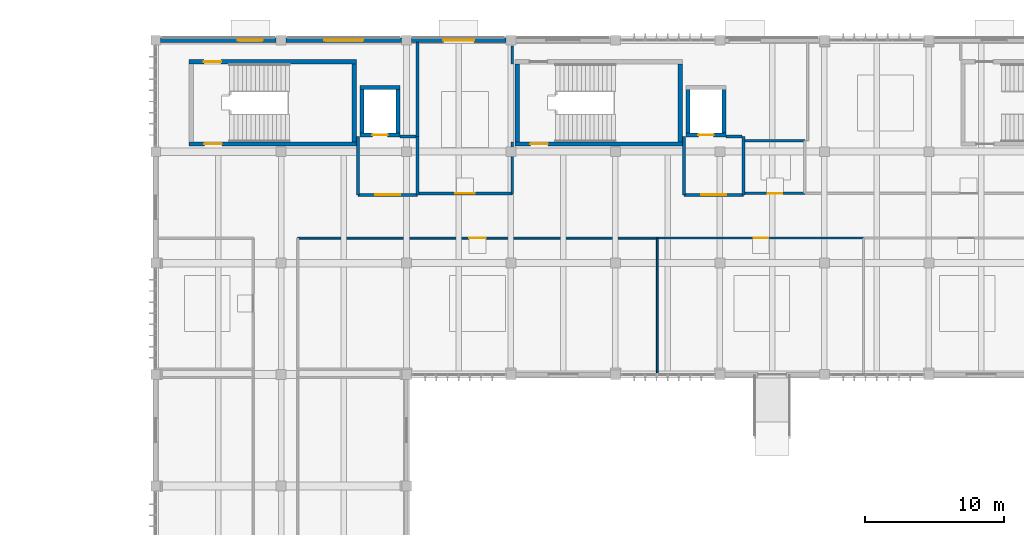
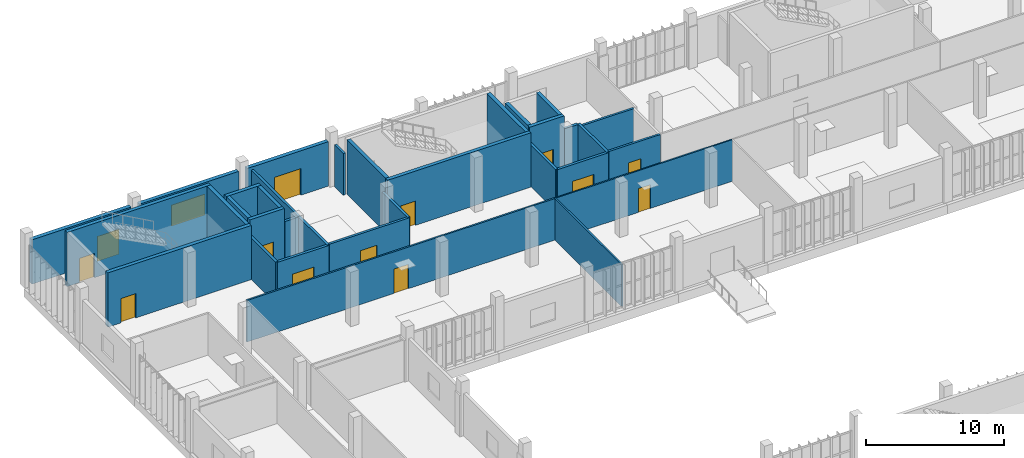
# One storey, part 47 of 72: 33 walls, 13 doors, 1 window, 14 openings.
"""IFC4 building model written with IfcOpenShell, lengths in metres."""

from ifc_helpers import new_model, si_unit, direction, frame, frame_2d, origin, place, context, subcontext, project, spatial, rectangle, extrude, material, layer, layer_set, type_object, element, fill, save


model = new_model("IFC4")

# Units and contexts
model_context = context("Model", 3, precision=1e-05, world=origin(), true_north=direction((0.0, 1.0)))
body_context = subcontext(model_context, "Body", "Model", "MODEL_VIEW")
ifc_project = project(units=[si_unit("LENGTHUNIT", "METRE"), si_unit("AREAUNIT", "SQUARE_METRE"), si_unit("VOLUMEUNIT", "CUBIC_METRE"), si_unit("PLANEANGLEUNIT", "RADIAN"), si_unit("MASSUNIT", "GRAM", prefix="KILO")], contexts=[model_context])

# Site, building, storey
site_placement = place(None, origin())
site = spatial("IfcSite", under=ifc_project, at=site_placement, CompositionType="ELEMENT")
building_placement = place(site_placement, origin())
building = spatial("IfcBuilding", under=site, at=building_placement, Name="Vourika Railside Aquatics Centre", CompositionType="ELEMENT")
storey_placement = place(building_placement, origin())
storey = spatial("IfcBuildingStorey", under=building, at=storey_placement, Name="L00", CompositionType="ELEMENT", Elevation=0.0)

# Wall, opening, door
ifc_material_1 = material(Name="Concrete C40/50", Category="concrete")
ifc_layer_1 = layer(ifc_material_1, 0.300048828125, Name="WL-CORE")
ifc_layer_set_1 = layer_set([ifc_layer_1], Name="Concrete C40/50")
wall_type_1 = type_object("IfcWallType", Name="WL-CORE", PredefinedType="SHEAR", material=ifc_layer_set_1)
wall_1_placement = place(storey_placement, frame((20.39990234375, 108.550048828125, 0.0), z_axis=(0.0, 0.0, 1.0), x_axis=(1.0, 0.0, 0.0)))
wall_1 = element("IfcWall", 1, at=wall_1_placement, inside=storey, type_object=wall_type_1, Name="Protected Exit Stair Core ST01 South Wall (L00)", PredefinedType="SHEAR", context=body_context, shape_type="SweptSolid", body=[
    extrude(rectangle(XDim=12.0, YDim=0.300048828125, at=frame_2d((6.0, 0.0))), origin(), (0.0, 0.0, 1.0), 4.800048828125),
])
opening_1_placement = place(wall_1_placement, frame((1.10009765625, 0.0, 0.0)))
opening_1 = element("IfcOpeningElement", 2, at=opening_1_placement, cuts=wall_1, Name="Opening DF02", PredefinedType="OPENING", context=body_context, shape_type="SweptSolid", body=[
    extrude(rectangle(XDim=1.25, YDim=2.14990234375, at=frame_2d((0.625, 1.074951171875))), frame((0.0, 0.16015625, 0.0), z_axis=(0.0, -1.0, 0.0), x_axis=(1.0, 0.0, 0.0)), (0.0, 0.0, 1.0), 0.320068359375),
])
ifc_material_2 = material(Name="Fire-rated wide exit stair door")
door_type_1 = type_object("IfcDoorType", Name="DR-FD60-125", OperationType="NOTDEFINED", PredefinedType="DOOR", material=ifc_material_2)
door_1_placement = place(opening_1_placement, origin())
door_1 = element("IfcDoor", 3, at=door_1_placement, inside=storey, type_object=door_type_1, Name="Protected Exit Stair Core ST01 Enclosure Fire Door (L00)", OperationType="SINGLE_SWING_RIGHT", OverallHeight=2.14990234375, OverallWidth=1.25, PredefinedType="DOOR", context=body_context, shape_type="SweptSolid", body=[
    extrude(rectangle(XDim=1.25, YDim=2.14990234375, at=frame_2d((0.625, 1.074951171875))), frame((0.0, 0.02490234375, 0.0), z_axis=(0.0, -1.0, 0.0), x_axis=(1.0, 0.0, 0.0)), (0.0, 0.0, 1.0), 0.050048828125),
])
fill(opening_1, door_1)

wall_2_placement = place(storey_placement, frame((32.39990234375, 114.449951171875, 0.0), z_axis=(0.0, 0.0, 1.0), x_axis=(-1.0, 0.0, 0.0)))
wall_2 = element("IfcWall", 4, at=wall_2_placement, inside=storey, type_object=wall_type_1, Name="Protected Exit Stair Core ST01 North Wall (L00)", PredefinedType="SHEAR", context=body_context, shape_type="SweptSolid", body=[
    extrude(rectangle(XDim=12.0, YDim=0.300048828125, at=frame_2d((6.0, 0.0))), origin(), (0.0, 0.0, 1.0), 4.800048828125),
])
opening_2_placement = place(wall_2_placement, frame((9.699951171875, 0.0, 0.0)))
opening_2 = element("IfcOpeningElement", 5, at=opening_2_placement, cuts=wall_2, Name="Opening DF02", PredefinedType="OPENING", context=body_context, shape_type="SweptSolid", body=[
    extrude(rectangle(XDim=1.25, YDim=2.14990234375, at=frame_2d((0.625, 1.074951171875))), frame((0.0, 0.16015625, 0.0), z_axis=(0.0, -1.0, 0.0), x_axis=(1.0, 0.0, 0.0)), (0.0, 0.0, 1.0), 0.320068359375),
])
door_2_placement = place(opening_2_placement, origin())
door_2 = element("IfcDoor", 6, at=door_2_placement, inside=storey, type_object=door_type_1, Name="Protected Exit Stair Core ST01 Grade Exit Vestibule Door", OperationType="SINGLE_SWING_LEFT", OverallHeight=2.14990234375, OverallWidth=1.25, PredefinedType="DOOR", context=body_context, shape_type="SweptSolid", body=[
    extrude(rectangle(XDim=1.25, YDim=2.14990234375, at=frame_2d((0.625, 1.074951171875))), frame((0.0, 0.02490234375, 0.0), z_axis=(0.0, -1.0, 0.0), x_axis=(1.0, 0.0, 0.0)), (0.0, 0.0, 1.0), 0.050048828125),
])
fill(opening_2, door_2)

# Wall
wall_3_placement = place(storey_placement, frame((32.25, 108.699951171875, 0.0), z_axis=(0.0, 0.0, 1.0), x_axis=(0.0, 1.0, 0.0)))
element("IfcWall", 7, at=wall_3_placement, inside=storey, type_object=wall_type_1, Name="Protected Exit Stair Core ST01 East Wall (L00)", PredefinedType="SHEAR", context=body_context, shape_type="SweptSolid", body=[
    extrude(rectangle(XDim=5.60009765625, YDim=0.300048828125, at=frame_2d((2.800048828125, 0.0))), origin(), (0.0, 0.0, 1.0), 4.800048828125),
])

# Wall, opening, door
wall_4_placement = place(storey_placement, frame((43.800048828125, 108.550048828125, 0.0), z_axis=(0.0, 0.0, 1.0), x_axis=(1.0, 0.0, 0.0)))
wall_4 = element("IfcWall", 8, at=wall_4_placement, inside=storey, type_object=wall_type_1, Name="Protected Exit Stair Core ST02 South Wall (L00)", PredefinedType="SHEAR", context=body_context, shape_type="SweptSolid", body=[
    extrude(rectangle(XDim=12.0, YDim=0.300048828125, at=frame_2d((6.0, 0.0))), origin(), (0.0, 0.0, 1.0), 4.800048828125),
])
opening_3_placement = place(wall_4_placement, frame((1.10009765625, 0.0, 0.0)))
opening_3 = element("IfcOpeningElement", 9, at=opening_3_placement, cuts=wall_4, Name="Opening DF02", PredefinedType="OPENING", context=body_context, shape_type="SweptSolid", body=[
    extrude(rectangle(XDim=1.25, YDim=2.14990234375, at=frame_2d((0.625, 1.074951171875))), frame((0.0, 0.16015625, 0.0), z_axis=(0.0, -1.0, 0.0), x_axis=(1.0, 0.0, 0.0)), (0.0, 0.0, 1.0), 0.320068359375),
])
door_3_placement = place(opening_3_placement, origin())
door_3 = element("IfcDoor", 10, at=door_3_placement, inside=storey, type_object=door_type_1, Name="Protected Exit Stair Core ST02 Enclosure Fire Door (L00)", OperationType="SINGLE_SWING_LEFT", OverallHeight=2.14990234375, OverallWidth=1.25, PredefinedType="DOOR", context=body_context, shape_type="SweptSolid", body=[
    extrude(rectangle(XDim=1.25, YDim=2.14990234375, at=frame_2d((0.625, 1.074951171875))), frame((0.0, 0.02490234375, 0.0), z_axis=(0.0, -1.0, 0.0), x_axis=(1.0, 0.0, 0.0)), (0.0, 0.0, 1.0), 0.050048828125),
])
fill(opening_3, door_3)

# Walls
for number, where, z_axis, x_axis, name in (
    (11, (43.949951171875, 114.300048828125, 0.0), (0.0, 0.0, 1.0), (0.0, -1.0, 0.0), "Protected Exit Stair Core ST02 West Wall (L00)"),
    (12, (55.64990234375, 108.699951171875, 0.0), (0.0, 0.0, 1.0), (0.0, 1.0, 0.0), "Protected Exit Stair Core ST02 East Wall (L00)"),
):
    element("IfcWall", number, at=place(storey_placement, frame(where, z_axis=z_axis, x_axis=x_axis)), inside=storey, type_object=wall_type_1, Name=name, PredefinedType="SHEAR", context=body_context, shape_type="SweptSolid", body=[
        extrude(rectangle(XDim=5.60009765625, YDim=0.300048828125, at=frame_2d((2.800048828125, 0.0))), origin(), (0.0, 0.0, 1.0), 4.800048828125),
    ])

# Wall, opening, door
wall_5_placement = place(storey_placement, frame((32.64990234375, 109.199951171875, 0.0), z_axis=(0.0, 0.0, 1.0), x_axis=(1.0, 0.0, 0.0)))
wall_5 = element("IfcWall", 13, at=wall_5_placement, inside=storey, type_object=wall_type_1, Name="Lift LF01 Shaft South Wall (L00)", PredefinedType="SHEAR", context=body_context, shape_type="SweptSolid", body=[
    extrude(rectangle(XDim=2.900146484375, YDim=0.300048828125, at=frame_2d((1.4501953125, 0.0))), origin(), (0.0, 0.0, 1.0), 4.800048828125),
])
opening_4_placement = place(wall_5_placement, frame((0.89990234375, 0.0, 0.0)))
opening_4 = element("IfcOpeningElement", 14, at=opening_4_placement, cuts=wall_5, Name="Opening LD01", PredefinedType="OPENING", context=body_context, shape_type="SweptSolid", body=[
    extrude(rectangle(XDim=1.10009765625, YDim=2.14990234375, at=frame_2d((0.550048828125, 1.074951171875))), frame((0.0, 0.16015625, 0.0), z_axis=(0.0, -1.0, 0.0), x_axis=(1.0, 0.0, 0.0)), (0.0, 0.0, 1.0), 0.320068359375),
])
ifc_material_3 = material(Name="Stainless firefighting lift landing door")
door_type_2 = type_object("IfcDoorType", Name="DR-LIFT-LD1", OperationType="DOUBLE_DOOR_SLIDING", PredefinedType="DOOR", material=ifc_material_3)
door_4_placement = place(opening_4_placement, origin())
door_4 = element("IfcDoor", 15, at=door_4_placement, inside=storey, type_object=door_type_2, Name="Lift LF01 Sliding Landing Door (L00)", OperationType="DOUBLE_DOOR_SLIDING", OverallHeight=2.14990234375, OverallWidth=1.10009765625, PredefinedType="DOOR", context=body_context, shape_type="SweptSolid", body=[
    extrude(rectangle(XDim=1.10009765625, YDim=2.14990234375, at=frame_2d((0.550048828125, 1.074951171875))), frame((0.0, 0.02490234375, 0.0), z_axis=(0.0, -1.0, 0.0), x_axis=(1.0, 0.0, 0.0)), (0.0, 0.0, 1.0), 0.050048828125),
])
fill(opening_4, door_4)

# Walls
wall_6_placement = place(storey_placement, frame((35.550048828125, 112.60009765625, 0.0), z_axis=(0.0, 0.0, 1.0), x_axis=(-1.0, 0.0, 0.0)))
element("IfcWall", 16, at=wall_6_placement, inside=storey, type_object=wall_type_1, Name="Lift LF01 Shaft North Wall (L00)", PredefinedType="SHEAR", context=body_context, shape_type="SweptSolid", body=[
    extrude(rectangle(XDim=2.900146484375, YDim=0.300048828125, at=frame_2d((1.4501953125, 0.0))), origin(), (0.0, 0.0, 1.0), 4.800048828125),
])
for number, where, z_axis, x_axis, name in (
    (17, (32.800048828125, 112.60009765625, 0.0), (0.0, 0.0, 1.0), (0.0, -1.0, 0.0), "Lift LF01 Shaft West Wall (L00)"),
    (18, (35.39990234375, 109.199951171875, 0.0), (0.0, 0.0, 1.0), (0.0, 1.0, 0.0), "Lift LF01 Shaft East Wall (L00)"),
):
    element("IfcWall", number, at=place(storey_placement, frame(where, z_axis=z_axis, x_axis=x_axis)), inside=storey, type_object=wall_type_1, Name=name, PredefinedType="SHEAR", context=body_context, shape_type="SweptSolid", body=[
        extrude(rectangle(XDim=3.400146484375, YDim=0.300048828125, at=frame_2d((1.7001953125, 0.0))), origin(), (0.0, 0.0, 1.0), 4.800048828125),
    ])

# Wall, opening, door
wall_7_placement = place(storey_placement, frame((56.050048828125, 109.199951171875, 0.0), z_axis=(0.0, 0.0, 1.0), x_axis=(1.0, 0.0, 0.0)))
wall_7 = element("IfcWall", 19, at=wall_7_placement, inside=storey, type_object=wall_type_1, Name="Lift LF02 Shaft South Wall (L00)", PredefinedType="SHEAR", context=body_context, shape_type="SweptSolid", body=[
    extrude(rectangle(XDim=2.89990234375, YDim=0.300048828125, at=frame_2d((1.449951171875, 0.0))), origin(), (0.0, 0.0, 1.0), 4.800048828125),
])
opening_5_placement = place(wall_7_placement, frame((0.89990234375, 0.0, 0.0)))
opening_5 = element("IfcOpeningElement", 20, at=opening_5_placement, cuts=wall_7, Name="Opening LD01", PredefinedType="OPENING", context=body_context, shape_type="SweptSolid", body=[
    extrude(rectangle(XDim=1.10009765625, YDim=2.14990234375, at=frame_2d((0.550048828125, 1.074951171875))), frame((0.0, 0.16015625, 0.0), z_axis=(0.0, -1.0, 0.0), x_axis=(1.0, 0.0, 0.0)), (0.0, 0.0, 1.0), 0.320068359375),
])
door_5_placement = place(opening_5_placement, origin())
door_5 = element("IfcDoor", 21, at=door_5_placement, inside=storey, type_object=door_type_2, Name="Lift LF02 Sliding Landing Door (L00)", OperationType="DOUBLE_DOOR_SLIDING", OverallHeight=2.14990234375, OverallWidth=1.10009765625, PredefinedType="DOOR", context=body_context, shape_type="SweptSolid", body=[
    extrude(rectangle(XDim=1.10009765625, YDim=2.14990234375, at=frame_2d((0.550048828125, 1.074951171875))), frame((0.0, 0.02490234375, 0.0), z_axis=(0.0, -1.0, 0.0), x_axis=(1.0, 0.0, 0.0)), (0.0, 0.0, 1.0), 0.050048828125),
])
fill(opening_5, door_5)

# Walls
for number, where, z_axis, x_axis, name in (
    (22, (56.199951171875, 112.60009765625, 0.0), (0.0, 0.0, 1.0), (0.0, -1.0, 0.0), "Lift LF02 Shaft West Wall (L00)"),
    (23, (58.800048828125, 109.199951171875, 0.0), (0.0, 0.0, 1.0), (0.0, 1.0, 0.0), "Lift LF02 Shaft East Wall (L00)"),
):
    element("IfcWall", number, at=place(storey_placement, frame(where, z_axis=z_axis, x_axis=x_axis)), inside=storey, type_object=wall_type_1, Name=name, PredefinedType="SHEAR", context=body_context, shape_type="SweptSolid", body=[
        extrude(rectangle(XDim=3.400146484375, YDim=0.300048828125, at=frame_2d((1.7001953125, 0.0))), origin(), (0.0, 0.0, 1.0), 4.800048828125),
    ])

# Wall, opening, door
ifc_material_4 = material(Name="Precast concrete C40/50", Category="concrete")
ifc_layer_2 = layer(ifc_material_4, 0.320068359375, Name="WL-EXT-320")
ifc_layer_set_2 = layer_set([ifc_layer_2], Name="Precast concrete C40/50")
wall_type_2 = type_object("IfcWallType", Name="WL-EXT-320", PredefinedType="SOLIDWALL", material=ifc_layer_set_2)
wall_8_placement = place(storey_placement, frame((26.64990234375, 116.0, 0.0), z_axis=(0.0, 0.0, 1.0), x_axis=(-1.0, 0.0, 0.0)))
wall_8 = element("IfcWall", 24, at=wall_8_placement, inside=storey, type_object=wall_type_2, Name="North Boulevard Exit Portal 1", PredefinedType="SOLIDWALL", context=body_context, shape_type="SweptSolid", body=[
    extrude(rectangle(XDim=8.2998046875, YDim=0.320068359375, at=frame_2d((4.14990234375, 0.0))), origin(), (0.0, 0.0, 1.0), 3.929931640625),
])
opening_6_placement = place(wall_8_placement, frame((0.949951171875, 0.0, 0.0)))
opening_6 = element("IfcOpeningElement", 25, at=opening_6_placement, cuts=wall_8, Name="Opening DE05", PredefinedType="OPENING", context=body_context, shape_type="SweptSolid", body=[
    extrude(rectangle(XDim=1.800048828125, YDim=2.199951171875, at=frame_2d((0.89990234375, 1.10009765625))), frame((0.0, 0.169921875, 0.0), z_axis=(0.0, -1.0, 0.0), x_axis=(1.0, 0.0, 0.0)), (0.0, 0.0, 1.0), 0.340087890625),
])
ifc_material_5 = material(Name="Anodized aluminium", Category="aluminium")
door_type_3 = type_object("IfcDoorType", Name="DR-EXT-DBL180", OperationType="DOUBLE_DOOR_SINGLE_SWING", PredefinedType="DOOR", material=ifc_material_5)
door_6_placement = place(opening_6_placement, frame((1.800048828125, 0.0, 0.0), z_axis=(0.0, 0.0, 1.0), x_axis=(-1.0, 0.0, 0.0)))
door_6 = element("IfcDoor", 26, at=door_6_placement, inside=storey, type_object=door_type_3, Name="North Boulevard Entrance and Exit Door 1", OperationType="DOUBLE_DOOR_SINGLE_SWING", OverallHeight=2.199951171875, OverallWidth=1.800048828125, PredefinedType="DOOR", context=body_context, shape_type="SweptSolid", body=[
    extrude(rectangle(XDim=1.800048828125, YDim=2.199951171875, at=frame_2d((0.89990234375, 1.10009765625))), frame((0.0, 0.02490234375, 0.0), z_axis=(0.0, -1.0, 0.0), x_axis=(1.0, 0.0, 0.0)), (0.0, 0.0, 1.0), 0.050048828125),
])
fill(opening_6, door_6)

# Wall, opening, window
wall_9_placement = place(storey_placement, frame((35.64990234375, 116.0, 0.0), z_axis=(0.0, 0.0, 1.0), x_axis=(-1.0, 0.0, 0.0)))
wall_9 = element("IfcWall", 27, at=wall_9_placement, inside=storey, type_object=wall_type_2, Name="North Boulevard Precast Bay L00-2", PredefinedType="SOLIDWALL", context=body_context, shape_type="SweptSolid", body=[
    extrude(rectangle(XDim=8.2998046875, YDim=0.320068359375, at=frame_2d((4.14990234375, 0.0))), origin(), (0.0, 0.0, 1.0), 3.929931640625),
])
opening_7_placement = place(wall_9_placement, frame((2.75, 0.0, 0.949951171875)))
opening_7 = element("IfcOpeningElement", 28, at=opening_7_placement, cuts=wall_9, Name="Opening W01", PredefinedType="OPENING", context=body_context, shape_type="SweptSolid", body=[
    extrude(rectangle(XDim=2.800048828125, YDim=1.85009765625, at=frame_2d((1.39990234375, 0.925048828125))), frame((0.0, 0.169921875, 0.0), z_axis=(0.0, -1.0, 0.0), x_axis=(1.0, 0.0, 0.0)), (0.0, 0.0, 1.0), 0.340087890625),
])
ifc_material_6 = material(Name="Laminated solar-control glass", Category="glass")
window_type = type_object("IfcWindowType", Name="WN-FIT-280x185", PartitioningType="DOUBLE_PANEL_VERTICAL", PredefinedType="WINDOW", material=ifc_material_6)
window_placement = place(opening_7_placement, origin())
window = element("IfcWindow", 29, at=window_placement, inside=storey, type_object=window_type, Name="North Boulevard Studio Window L00-2", OverallHeight=1.85009765625, OverallWidth=2.800048828125, PartitioningType="SINGLE_PANEL", PredefinedType="WINDOW", context=body_context, shape_type="SweptSolid", body=[
    extrude(rectangle(XDim=2.800048828125, YDim=1.85009765625, at=frame_2d((1.39990234375, 0.925048828125))), frame((0.0, 0.030029296875, 0.0), z_axis=(0.0, -1.0, 0.0), x_axis=(1.0, 0.0, 0.0)), (0.0, 0.0, 1.0), 0.06005859375),
])
fill(opening_7, window)

# Wall, opening, door
wall_10_placement = place(storey_placement, frame((43.14990234375, 116.0, 0.0), z_axis=(0.0, 0.0, 1.0), x_axis=(-1.0, 0.0, 0.0)))
wall_10 = element("IfcWall", 30, at=wall_10_placement, inside=storey, type_object=wall_type_2, Name="North Boulevard Exit Portal 3", PredefinedType="SOLIDWALL", context=body_context, shape_type="SweptSolid", body=[
    extrude(rectangle(XDim=6.7998046875, YDim=0.320068359375, at=frame_2d((3.39990234375, 0.0))), origin(), (0.0, 0.0, 1.0), 3.929931640625),
])
opening_8_placement = place(wall_10_placement, frame((2.300048828125, 0.0, 0.0)))
opening_8 = element("IfcOpeningElement", 31, at=opening_8_placement, cuts=wall_10, Name="Opening DE03", PredefinedType="OPENING", context=body_context, shape_type="SweptSolid", body=[
    extrude(rectangle(XDim=2.199951171875, YDim=2.35009765625, at=frame_2d((1.10009765625, 1.175048828125))), frame((0.0, 0.169921875, 0.0), z_axis=(0.0, -1.0, 0.0), x_axis=(1.0, 0.0, 0.0)), (0.0, 0.0, 1.0), 0.340087890625),
])
door_type_4 = type_object("IfcDoorType", Name="DR-EXT-DBL220", OperationType="DOUBLE_DOOR_SINGLE_SWING", PredefinedType="DOOR", material=ifc_material_5)
door_7_placement = place(opening_8_placement, frame((2.199951171875, 0.0, 0.0), z_axis=(0.0, 0.0, 1.0), x_axis=(-1.0, 0.0, 0.0)))
door_7 = element("IfcDoor", 32, at=door_7_placement, inside=storey, type_object=door_type_4, Name="North Boulevard Entrance and Exit Door 3", OperationType="DOUBLE_DOOR_SINGLE_SWING", OverallHeight=2.35009765625, OverallWidth=2.199951171875, PredefinedType="DOOR", context=body_context, shape_type="SweptSolid", body=[
    extrude(rectangle(XDim=2.199951171875, YDim=2.35009765625, at=frame_2d((1.10009765625, 1.175048828125))), frame((0.0, 0.02490234375, 0.0), z_axis=(0.0, -1.0, 0.0), x_axis=(1.0, 0.0, 0.0)), (0.0, 0.0, 1.0), 0.050048828125),
])
fill(opening_8, door_7)

ifc_material_7 = material(Name="Concrete C35/45", Category="concrete")
ifc_layer_3 = layer(ifc_material_7, 0.219970703125, Name="WL-FIRE")
ifc_layer_set_3 = layer_set([ifc_layer_3], Name="Concrete C35/45")
wall_type_3 = type_object("IfcWallType", Name="WL-FIRE", PredefinedType="SOLIDWALL", material=ifc_layer_set_3)
wall_11_placement = place(storey_placement, frame((32.52001953125, 104.89990234375, 0.0), z_axis=(0.0, 0.0, 1.0), x_axis=(1.0, 0.0, 0.0)))
wall_11 = element("IfcWall", 33, at=wall_11_placement, inside=storey, type_object=wall_type_3, Name="Lift LF01 Lobby Corridor Fire Wall (L00)", PredefinedType="SOLIDWALL", context=body_context, shape_type="SweptSolid", body=[
    extrude(rectangle(XDim=4.280029296875, YDim=0.219970703125, at=frame_2d((2.14013671875, 0.0))), origin(), (0.0, 0.0, 1.0), 3.679931640625),
])
opening_9_placement = place(wall_11_placement, frame((1.239990234375, 0.0, 0.0)))
opening_9 = element("IfcOpeningElement", 34, at=opening_9_placement, cuts=wall_11, Name="Opening DF03", PredefinedType="OPENING", context=body_context, shape_type="SweptSolid", body=[
    extrude(rectangle(XDim=1.800048828125, YDim=2.199951171875, at=frame_2d((0.89990234375, 1.10009765625))), frame((0.0, 0.1201171875, 0.0), z_axis=(0.0, -1.0, 0.0), x_axis=(1.0, 0.0, 0.0)), (0.0, 0.0, 1.0), 0.239990234375),
])
ifc_material_8 = material(Name="Fire-rated double lobby door")
door_type_5 = type_object("IfcDoorType", Name="DR-FD60D", OperationType="DOUBLE_DOOR_SINGLE_SWING", PredefinedType="DOOR", material=ifc_material_8)
door_8_placement = place(opening_9_placement, origin())
door_8 = element("IfcDoor", 35, at=door_8_placement, inside=storey, type_object=door_type_5, Name="Lift LF01 Lobby Fire Door (L00)", OperationType="DOUBLE_DOOR_SINGLE_SWING", OverallHeight=2.199951171875, OverallWidth=1.800048828125, PredefinedType="DOOR", context=body_context, shape_type="SweptSolid", body=[
    extrude(rectangle(XDim=1.800048828125, YDim=2.199951171875, at=frame_2d((0.89990234375, 1.10009765625))), frame((0.0, 0.02490234375, 0.0), z_axis=(0.0, -1.0, 0.0), x_axis=(1.0, 0.0, 0.0)), (0.0, 0.0, 1.0), 0.050048828125),
])
fill(opening_9, door_8)

# Walls
for number, where, z_axis, x_axis, name in (
    (36, (32.52001953125, 104.89990234375, 0.0), (0.0, 0.0, 1.0), (0.0, 1.0, 0.0), "Lift LF01 Lobby West Fire Wall (L00)"),
    (37, (36.800048828125, 104.89990234375, 0.0), (0.0, 0.0, 1.0), (0.0, 1.0, 0.0), "Lift LF01 Lobby East Fire Wall (L00)"),
):
    element("IfcWall", number, at=place(storey_placement, frame(where, z_axis=z_axis, x_axis=x_axis)), inside=storey, type_object=wall_type_3, Name=name, PredefinedType="SOLIDWALL", context=body_context, shape_type="SweptSolid", body=[
        extrude(rectangle(XDim=4.2001953125, YDim=0.219970703125, at=frame_2d((2.10009765625, 0.0))), origin(), (0.0, 0.0, 1.0), 3.679931640625),
    ])
wall_12_placement = place(storey_placement, frame((35.550048828125, 109.10009765625, 0.0), z_axis=(0.0, 0.0, 1.0), x_axis=(1.0, 0.0, 0.0)))
element("IfcWall", 38, at=wall_12_placement, inside=storey, type_object=wall_type_3, Name="Lift LF01 Lobby North-East Closure Wall (L00)", PredefinedType="SOLIDWALL", context=body_context, shape_type="SweptSolid", body=[
    extrude(rectangle(XDim=1.1298828125, YDim=0.219970703125, at=frame_2d((0.56494140625, 0.0))), origin(), (0.0, 0.0, 1.0), 3.679931640625),
])

# Wall, opening, door
wall_13_placement = place(storey_placement, frame((55.919921875, 104.89990234375, 0.0), z_axis=(0.0, 0.0, 1.0), x_axis=(1.0, 0.0, 0.0)))
wall_13 = element("IfcWall", 39, at=wall_13_placement, inside=storey, type_object=wall_type_3, Name="Lift LF02 Lobby Corridor Fire Wall (L00)", PredefinedType="SOLIDWALL", context=body_context, shape_type="SweptSolid", body=[
    extrude(rectangle(XDim=4.280029296875, YDim=0.219970703125, at=frame_2d((2.14013671875, 0.0))), origin(), (0.0, 0.0, 1.0), 3.679931640625),
])
opening_10_placement = place(wall_13_placement, frame((1.239990234375, 0.0, 0.0)))
opening_10 = element("IfcOpeningElement", 40, at=opening_10_placement, cuts=wall_13, Name="Opening DF03", PredefinedType="OPENING", context=body_context, shape_type="SweptSolid", body=[
    extrude(rectangle(XDim=1.800048828125, YDim=2.199951171875, at=frame_2d((0.89990234375, 1.10009765625))), frame((0.0, 0.1201171875, 0.0), z_axis=(0.0, -1.0, 0.0), x_axis=(1.0, 0.0, 0.0)), (0.0, 0.0, 1.0), 0.239990234375),
])
door_9_placement = place(opening_10_placement, origin())
door_9 = element("IfcDoor", 41, at=door_9_placement, inside=storey, type_object=door_type_5, Name="Lift LF02 Lobby Fire Door (L00)", OperationType="DOUBLE_DOOR_SINGLE_SWING", OverallHeight=2.199951171875, OverallWidth=1.800048828125, PredefinedType="DOOR", context=body_context, shape_type="SweptSolid", body=[
    extrude(rectangle(XDim=1.800048828125, YDim=2.199951171875, at=frame_2d((0.89990234375, 1.10009765625))), frame((0.0, 0.02490234375, 0.0), z_axis=(0.0, -1.0, 0.0), x_axis=(1.0, 0.0, 0.0)), (0.0, 0.0, 1.0), 0.050048828125),
])
fill(opening_10, door_9)

# Walls
for number, where, z_axis, x_axis, name in (
    (42, (55.919921875, 104.89990234375, 0.0), (0.0, 0.0, 1.0), (0.0, 1.0, 0.0), "Lift LF02 Lobby West Fire Wall (L00)"),
    (43, (60.199951171875, 104.89990234375, 0.0), (0.0, 0.0, 1.0), (0.0, 1.0, 0.0), "Lift LF02 Lobby East Fire Wall (L00)"),
):
    element("IfcWall", number, at=place(storey_placement, frame(where, z_axis=z_axis, x_axis=x_axis)), inside=storey, type_object=wall_type_3, Name=name, PredefinedType="SOLIDWALL", context=body_context, shape_type="SweptSolid", body=[
        extrude(rectangle(XDim=4.2001953125, YDim=0.219970703125, at=frame_2d((2.10009765625, 0.0))), origin(), (0.0, 0.0, 1.0), 3.679931640625),
    ])
wall_14_placement = place(storey_placement, frame((58.949951171875, 109.10009765625, 0.0), z_axis=(0.0, 0.0, 1.0), x_axis=(1.0, 0.0, 0.0)))
element("IfcWall", 44, at=wall_14_placement, inside=storey, type_object=wall_type_3, Name="Lift LF02 Lobby North-East Closure Wall (L00)", PredefinedType="SOLIDWALL", context=body_context, shape_type="SweptSolid", body=[
    extrude(rectangle(XDim=1.130126953125, YDim=0.219970703125, at=frame_2d((0.56494140625, 0.0))), origin(), (0.0, 0.0, 1.0), 3.679931640625),
])

# Wall, opening, door
ifc_material_9 = material(Name="Lightweight drylining partition")
ifc_layer_4 = layer(ifc_material_9, 0.1201171875, Name="WL-PART-120")
ifc_layer_set_4 = layer_set([ifc_layer_4], Name="Lightweight drylining partition")
wall_type_4 = type_object("IfcWallType", Name="WL-PART-120", PredefinedType="PARTITIONING", material=ifc_layer_set_4)
wall_15_placement = place(storey_placement, frame((54.050048828125, 101.800048828125, 0.0), z_axis=(0.0, 0.0, 1.0), x_axis=(1.0, 0.0, 0.0)))
wall_15 = element("IfcWall", 45, at=wall_15_placement, inside=storey, type_object=wall_type_4, Name="Orthopaedic Physician Consulting Rooms Partition 1", PredefinedType="PARTITIONING", context=body_context, shape_type="SweptSolid", body=[
    extrude(rectangle(XDim=14.75, YDim=0.1201171875, at=frame_2d((7.375, 0.0))), origin(), (0.0, 0.0, 1.0), 3.679931640625),
])
opening_11_placement = place(wall_15_placement, frame((6.875, 0.0, 0.0)))
opening_11 = element("IfcOpeningElement", 46, at=opening_11_placement, cuts=wall_15, Name="Opening DI01", PredefinedType="OPENING", context=body_context, shape_type="SweptSolid", body=[
    extrude(rectangle(XDim=1.0, YDim=2.10009765625, at=frame_2d((0.5, 1.050048828125))), frame((0.0, 0.070068359375, 0.0), z_axis=(0.0, -1.0, 0.0), x_axis=(1.0, 0.0, 0.0)), (0.0, 0.0, 1.0), 0.14013671875),
])
ifc_material_10 = material(Name="Anodized aluminium and laminate door", Category="aluminium")
door_type_6 = type_object("IfcDoorType", Name="DR-INT-1000", OperationType="NOTDEFINED", PredefinedType="DOOR", material=ifc_material_10)
door_10_placement = place(opening_11_placement, origin())
door_10 = element("IfcDoor", 47, at=door_10_placement, inside=storey, type_object=door_type_6, Name="Orthopaedic Physician Consulting Rooms Door", OperationType="SINGLE_SWING_RIGHT", OverallHeight=2.10009765625, OverallWidth=1.0, PredefinedType="DOOR", context=body_context, shape_type="SweptSolid", body=[
    extrude(rectangle(XDim=1.0, YDim=2.10009765625, at=frame_2d((0.5, 1.050048828125))), frame((0.0, 0.02490234375, 0.0), z_axis=(0.0, -1.0, 0.0), x_axis=(1.0, 0.0, 0.0)), (0.0, 0.0, 1.0), 0.050048828125),
])
fill(opening_11, door_10)

ifc_material_11 = material(Name="Clinical hygienic partition")
ifc_layer_5 = layer(ifc_material_11, 0.139892578125, Name="WL-PART-140")
ifc_layer_set_5 = layer_set([ifc_layer_5], Name="Clinical hygienic partition")
wall_type_5 = type_object("IfcWallType", Name="WL-PART-140", PredefinedType="PARTITIONING", material=ifc_layer_set_5)
wall_16_placement = place(storey_placement, frame((28.199951171875, 101.800048828125, 0.0), z_axis=(0.0, 0.0, 1.0), x_axis=(1.0, 0.0, 0.0)))
wall_16 = element("IfcWall", 48, at=wall_16_placement, inside=storey, type_object=wall_type_5, Name="Hydrotherapy Rehabilitation Pool Clinic Partition 1", PredefinedType="PARTITIONING", context=body_context, shape_type="SweptSolid", body=[
    extrude(rectangle(XDim=25.800048828125, YDim=0.139892578125, at=frame_2d((12.89990234375, 0.0))), origin(), (0.0, 0.0, 1.0), 3.679931640625),
])
opening_12_placement = place(wall_16_placement, frame((12.300048828125, 0.0, 0.0)))
opening_12 = element("IfcOpeningElement", 49, at=opening_12_placement, cuts=wall_16, Name="Opening DI03", PredefinedType="OPENING", context=body_context, shape_type="SweptSolid", body=[
    extrude(rectangle(XDim=1.199951171875, YDim=2.14990234375, at=frame_2d((0.60009765625, 1.074951171875))), frame((0.0, 0.080078125, 0.0), z_axis=(0.0, -1.0, 0.0), x_axis=(1.0, 0.0, 0.0)), (0.0, 0.0, 1.0), 0.159912109375),
])
ifc_material_12 = material(Name="Wide sports-medicine clinical door")
door_type_7 = type_object("IfcDoorType", Name="DR-INT-1200", OperationType="NOTDEFINED", PredefinedType="DOOR", material=ifc_material_12)
door_11_placement = place(opening_12_placement, origin())
door_11 = element("IfcDoor", 50, at=door_11_placement, inside=storey, type_object=door_type_7, Name="Hydrotherapy Rehabilitation Pool Clinic Door", OperationType="SINGLE_SWING_LEFT", OverallHeight=2.14990234375, OverallWidth=1.199951171875, PredefinedType="DOOR", context=body_context, shape_type="SweptSolid", body=[
    extrude(rectangle(XDim=1.199951171875, YDim=2.14990234375, at=frame_2d((0.60009765625, 1.074951171875))), frame((0.0, 0.02490234375, 0.0), z_axis=(0.0, -1.0, 0.0), x_axis=(1.0, 0.0, 0.0)), (0.0, 0.0, 1.0), 0.050048828125),
])
fill(opening_12, door_11)

# Wall
wall_17_placement = place(storey_placement, frame((54.0, 101.800048828125, 0.0), z_axis=(0.0, 0.0, 1.0), x_axis=(0.0, -1.0, 0.0)))
element("IfcWall", 51, at=wall_17_placement, inside=storey, type_object=wall_type_5, Name="Hydrotherapy Rehabilitation Pool Clinic Partition 4", PredefinedType="PARTITIONING", context=body_context, shape_type="SweptSolid", body=[
    extrude(rectangle(XDim=9.738037109375, YDim=0.139892578125, at=frame_2d((4.869140625, 0.0))), origin(), (0.0, 0.0, 1.0), 3.679931640625),
])

# Wall, opening, door
ifc_material_13 = material(Name="Moisture-resistant wet-village blockwork", Category="masonry")
ifc_layer_6 = layer(ifc_material_13, 0.179931640625, Name="WL-PART-180")
ifc_layer_set_6 = layer_set([ifc_layer_6], Name="Moisture-resistant wet-village blockwork")
wall_type_6 = type_object("IfcWallType", Name="WL-PART-180", PredefinedType="PARTITIONING", material=ifc_layer_set_6)
wall_18_placement = place(storey_placement, frame((64.60009765625, 105.0, 0.0), z_axis=(0.0, 0.0, 1.0), x_axis=(-1.0, 0.0, 0.0)))
wall_18 = element("IfcWall", 52, at=wall_18_placement, inside=storey, type_object=wall_type_6, Name="Clinic Accessible WC Partition 1", PredefinedType="PARTITIONING", context=body_context, shape_type="SweptSolid", body=[
    extrude(rectangle(XDim=4.31005859375, YDim=0.179931640625, at=frame_2d((2.155029296875, 0.0))), origin(), (0.0, 0.0, 1.0), 3.679931640625),
])
opening_13_placement = place(wall_18_placement, frame((1.6298828125, 0.0, 0.0)))
opening_13 = element("IfcOpeningElement", 53, at=opening_13_placement, cuts=wall_18, Name="Opening DW02", PredefinedType="OPENING", context=body_context, shape_type="SweptSolid", body=[
    extrude(rectangle(XDim=1.050048828125, YDim=2.10009765625, at=frame_2d((0.52490234375, 1.050048828125))), frame((0.0, 0.10009765625, 0.0), z_axis=(0.0, -1.0, 0.0), x_axis=(1.0, 0.0, 0.0)), (0.0, 0.0, 1.0), 0.199951171875),
])
ifc_material_14 = material(Name="Accessible WC outward-assist door")
door_type_8 = type_object("IfcDoorType", Name="DR-WCA-1050", OperationType="NOTDEFINED", PredefinedType="DOOR", material=ifc_material_14)
door_12_placement = place(opening_13_placement, origin())
door_12 = element("IfcDoor", 54, at=door_12_placement, inside=storey, type_object=door_type_8, Name="Clinic Accessible WC Door", OperationType="SINGLE_SWING_RIGHT", OverallHeight=2.10009765625, OverallWidth=1.050048828125, PredefinedType="DOOR", context=body_context, shape_type="SweptSolid", body=[
    extrude(rectangle(XDim=1.050048828125, YDim=2.10009765625, at=frame_2d((0.52490234375, 1.050048828125))), frame((0.0, 0.02490234375, 0.0), z_axis=(0.0, -1.0, 0.0), x_axis=(1.0, 0.0, 0.0)), (0.0, 0.0, 1.0), 0.050048828125),
])
fill(opening_13, door_12)

# Wall
wall_19_placement = place(storey_placement, frame((60.2900390625, 108.800048828125, 0.0), z_axis=(0.0, 0.0, 1.0), x_axis=(1.0, 0.0, 0.0)))
element("IfcWall", 55, at=wall_19_placement, inside=storey, type_object=wall_type_6, Name="Clinic Accessible WC Partition 3", PredefinedType="PARTITIONING", context=body_context, shape_type="SweptSolid", body=[
    extrude(rectangle(XDim=4.31005859375, YDim=0.179931640625, at=frame_2d((2.155029296875, 0.0))), origin(), (0.0, 0.0, 1.0), 3.679931640625),
])

# Wall, opening, door
ifc_material_15 = material(Name="Acoustic masonry blockwork", Category="masonry")
ifc_layer_7 = layer(ifc_material_15, 0.199951171875, Name="WL-PART-200")
ifc_layer_set_7 = layer_set([ifc_layer_7], Name="Acoustic masonry blockwork")
wall_type_7 = type_object("IfcWallType", Name="WL-PART-200", PredefinedType="PARTITIONING", material=ifc_layer_set_7)
wall_20_placement = place(storey_placement, frame((43.60009765625, 105.0, 0.0), z_axis=(0.0, 0.0, 1.0), x_axis=(-1.0, 0.0, 0.0)))
wall_20 = element("IfcWall", 56, at=wall_20_placement, inside=storey, type_object=wall_type_7, Name="Fire Command Centre Partition 1", PredefinedType="PARTITIONING", context=body_context, shape_type="SweptSolid", body=[
    extrude(rectangle(XDim=6.800048828125, YDim=0.199951171875, at=frame_2d((3.39990234375, 0.0))), origin(), (0.0, 0.0, 1.0), 3.679931640625),
])
opening_14_placement = place(wall_20_placement, frame((2.699951171875, 0.0, 0.0)))
opening_14 = element("IfcOpeningElement", 57, at=opening_14_placement, cuts=wall_20, Name="Opening DP01", PredefinedType="OPENING", context=body_context, shape_type="SweptSolid", body=[
    extrude(rectangle(XDim=1.39990234375, YDim=2.199951171875, at=frame_2d((0.699951171875, 1.10009765625))), frame((0.0, 0.10986328125, 0.0), z_axis=(0.0, -1.0, 0.0), x_axis=(1.0, 0.0, 0.0)), (0.0, 0.0, 1.0), 0.219970703125),
])
ifc_material_16 = material(Name="Fire-rated plant room double door")
door_type_9 = type_object("IfcDoorType", Name="DR-PLT-1400D", OperationType="DOUBLE_DOOR_SINGLE_SWING", PredefinedType="DOOR", material=ifc_material_16)
door_13_placement = place(opening_14_placement, origin())
door_13 = element("IfcDoor", 58, at=door_13_placement, inside=storey, type_object=door_type_9, Name="Fire Command Centre Door", OperationType="DOUBLE_DOOR_SINGLE_SWING", OverallHeight=2.199951171875, OverallWidth=1.39990234375, PredefinedType="DOOR", context=body_context, shape_type="SweptSolid", body=[
    extrude(rectangle(XDim=1.39990234375, YDim=2.199951171875, at=frame_2d((0.699951171875, 1.10009765625))), frame((0.0, 0.02490234375, 0.0), z_axis=(0.0, -1.0, 0.0), x_axis=(1.0, 0.0, 0.0)), (0.0, 0.0, 1.0), 0.050048828125),
])
fill(opening_14, door_13)

# Walls
wall_21_placement = place(storey_placement, frame((43.60009765625, 108.699951171875, 0.0), z_axis=(0.0, 0.0, 1.0), x_axis=(0.0, -1.0, 0.0)))
element("IfcWall", 59, at=wall_21_placement, inside=storey, type_object=wall_type_7, Name="Fire Command Centre Partition 2", PredefinedType="PARTITIONING", context=body_context, shape_type="SweptSolid", body=[
    extrude(rectangle(XDim=3.699951171875, YDim=0.199951171875, at=frame_2d((1.85009765625, 0.0))), origin(), (0.0, 0.0, 1.0), 3.679931640625),
])
wall_22_placement = place(storey_placement, frame((36.800048828125, 109.10009765625, 0.0), z_axis=(0.0, 0.0, 1.0), x_axis=(0.0, 1.0, 0.0)))
element("IfcWall", 60, at=wall_22_placement, inside=storey, type_object=wall_type_7, Name="Fire Command Centre Partition 3", PredefinedType="PARTITIONING", context=body_context, shape_type="SweptSolid", body=[
    extrude(rectangle(XDim=6.760009765625, YDim=0.199951171875, at=frame_2d((3.3798828125, 0.0))), origin(), (0.0, 0.0, 1.0), 3.679931640625),
])
wall_23_placement = place(storey_placement, frame((43.60009765625, 115.60009765625, 0.0), z_axis=(0.0, 0.0, 1.0), x_axis=(0.0, -1.0, 0.0)))
element("IfcWall", 61, at=wall_23_placement, inside=storey, type_object=wall_type_7, Name="Fire Command Centre Partition 4", PredefinedType="PARTITIONING", context=body_context, shape_type="SweptSolid", body=[
    extrude(rectangle(XDim=1.300048828125, YDim=0.199951171875, at=frame_2d((0.64990234375, 0.0))), origin(), (0.0, 0.0, 1.0), 3.679931640625),
])

save(model, "model.ifc")
